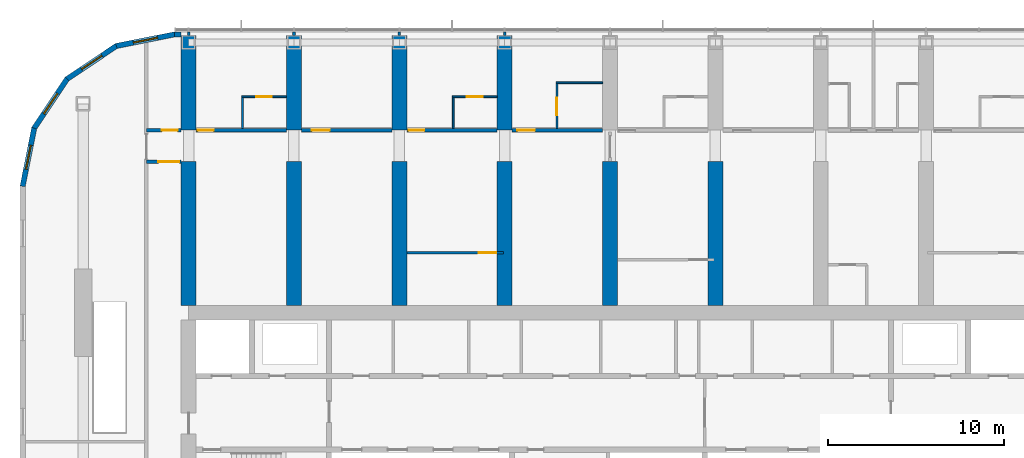
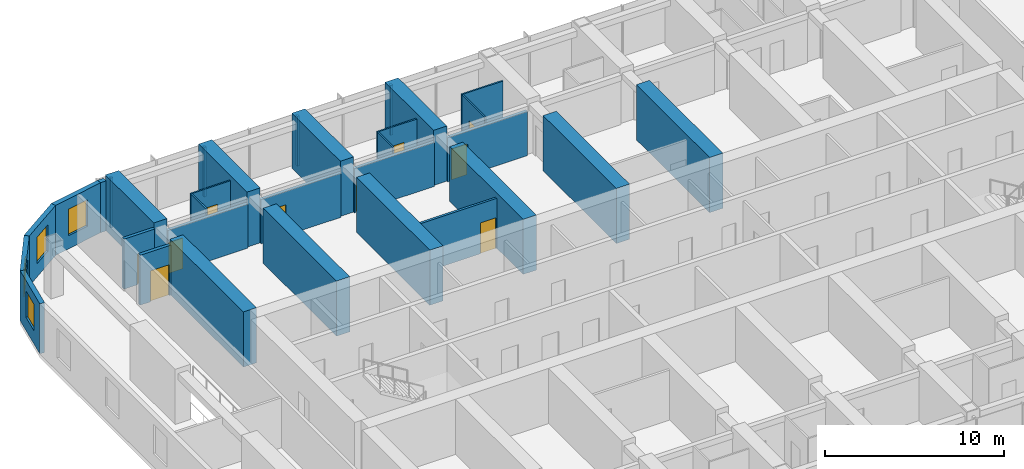
# One storey, part 15 of 22: 32 walls, 10 doors, 4 windows, 14 openings.
"""IFC4 building model written with IfcOpenShell, lengths in metres."""

from ifc_helpers import new_model, si_unit, direction, frame, frame_2d, origin, place, context, subcontext, project, spatial, polyline, rectangle, outline, extrude, material, layer, layer_set, type_object, element, fill, save


model = new_model("IFC4")

# Units and contexts
model_context = context("Model", 3, precision=1e-05, world=origin(), true_north=direction((0.0, 1.0)))
body_context = subcontext(model_context, "Body", "Model", "MODEL_VIEW")
ifc_project = project(units=[si_unit("LENGTHUNIT", "METRE"), si_unit("AREAUNIT", "SQUARE_METRE"), si_unit("VOLUMEUNIT", "CUBIC_METRE"), si_unit("PLANEANGLEUNIT", "RADIAN"), si_unit("MASSUNIT", "GRAM", prefix="KILO")], contexts=[model_context])

# Site, building, storey
site_placement = place(None, origin())
site = spatial("IfcSite", under=ifc_project, at=site_placement, CompositionType="ELEMENT")
building_placement = place(site_placement, origin())
building = spatial("IfcBuilding", under=site, at=building_placement, Name="Orbita Commons", CompositionType="ELEMENT")
storey_placement = place(building_placement, frame((0.0, 0.0, 197.35009765625)))
storey = spatial("IfcBuildingStorey", under=building, at=storey_placement, Name="L49", CompositionType="ELEMENT", Elevation=197.35009765625)

# Wall, opening, door
ifc_material_1 = material(Name="Concrete blockwork", Category="masonry")
ifc_layer_1 = layer(ifc_material_1, 0.199951171875)
ifc_layer_set_1 = layer_set([ifc_layer_1], Name="Concrete blockwork")
wall_type_1 = type_object("IfcWallType", Name="Corridor wall 200 blockwork", PredefinedType="SOLIDWALL", material=ifc_layer_set_1)
wall_1_placement = place(storey_placement, frame((15.60009765625, 48.60009765625, 0.0), z_axis=(0.0, 0.0, 1.0), x_axis=(1.0, 0.0, 0.0)))
wall_1 = element("IfcWall", 1, at=wall_1_placement, inside=storey, type_object=wall_type_1, Name="Corridor wall 200 blockwork L49", PredefinedType="SOLIDWALL", context=body_context, shape_type="SweptSolid", body=[
    extrude(rectangle(XDim=1.974853515625, YDim=0.199951171875, at=frame_2d((0.9873046875, 0.0))), origin(), (0.0, 0.0, 1.0), 3.39990234375),
])
opening_1_placement = place(wall_1_placement, frame((0.875, 0.0, 0.0)))
opening_1 = element("IfcOpeningElement", 2, at=opening_1_placement, cuts=wall_1, Name="Opening D05", PredefinedType="OPENING", context=body_context, shape_type="SweptSolid", body=[
    extrude(rectangle(XDim=0.89990234375, YDim=2.10009765625, at=frame_2d((0.449951171875, 1.050048828125))), frame((0.0, 0.10986328125, 0.0), z_axis=(0.0, -1.0, 0.0), x_axis=(1.0, 0.0, 0.0)), (0.0, 0.0, 1.0), 0.219970703125),
])
ifc_material_2 = material(Name="Steel-faced fire door leaf", Category="steel")
door_type_1 = type_object("IfcDoorType", Name="Service door 20 min 900x2100", OperationType="SINGLE_SWING_LEFT", PredefinedType="DOOR", material=ifc_material_2)
door_1_placement = place(opening_1_placement, origin())
door_1 = element("IfcDoor", 3, at=door_1_placement, inside=storey, type_object=door_type_1, Name="Linen store L49-KWN door", OperationType="SINGLE_SWING_LEFT", OverallHeight=2.10009765625, OverallWidth=0.89990234375, PredefinedType="DOOR", context=body_context, shape_type="SweptSolid", body=[
    extrude(rectangle(XDim=0.89990234375, YDim=2.10009765625, at=frame_2d((0.449951171875, 1.050048828125))), frame((0.0, 0.02490234375, 0.0), z_axis=(0.0, -1.0, 0.0), x_axis=(1.0, 0.0, 0.0)), (0.0, 0.0, 1.0), 0.050048828125),
])
fill(opening_1, door_1)

wall_2_placement = place(storey_placement, frame((18.425048828125, 48.60009765625, 0.0), z_axis=(0.0, 0.0, 1.0), x_axis=(1.0, 0.0, 0.0)))
wall_2 = element("IfcWall", 4, at=wall_2_placement, inside=storey, type_object=wall_type_1, Name="Corridor wall 200 blockwork L49", PredefinedType="SOLIDWALL", context=body_context, shape_type="SweptSolid", body=[
    extrude(outline(polyline([(0.0, 0.0), (5.14990234375, 0.0), (5.14990234375, 3.0), (0.0, 3.0), (0.0, 0.0)])), frame((0.0, 0.10009765625, 0.0), z_axis=(0.0, -1.0, 0.0), x_axis=(1.0, 0.0, 0.0)), (0.0, 0.0, 1.0), 0.199951171875),
])
opening_2_placement = place(wall_2_placement, frame((0.10009765625, 0.0, 0.0)))
opening_2 = element("IfcOpeningElement", 5, at=opening_2_placement, cuts=wall_2, Name="Opening D11", PredefinedType="OPENING", context=body_context, shape_type="SweptSolid", body=[
    extrude(rectangle(XDim=0.89990234375, YDim=2.10009765625, at=frame_2d((0.449951171875, 1.050048828125))), frame((0.0, 0.10986328125, 0.0), z_axis=(0.0, -1.0, 0.0), x_axis=(1.0, 0.0, 0.0)), (0.0, 0.0, 1.0), 0.219970703125),
])
ifc_material_3 = material(Name="Steel-faced fire door leaf", Category="steel")
door_type_2 = type_object("IfcDoorType", Name="Corridor door 20 min 900x2100", OperationType="SINGLE_SWING_LEFT", PredefinedType="DOOR", material=ifc_material_3)
door_2_placement = place(opening_2_placement, origin())
door_2 = element("IfcDoor", 6, at=door_2_placement, inside=storey, type_object=door_type_2, Name="Twin room L49-N00 door", OperationType="SINGLE_SWING_LEFT", OverallHeight=2.10009765625, OverallWidth=0.89990234375, PredefinedType="DOOR", context=body_context, shape_type="SweptSolid", body=[
    extrude(rectangle(XDim=0.89990234375, YDim=2.10009765625, at=frame_2d((0.449951171875, 1.050048828125))), frame((0.0, 0.02490234375, 0.0), z_axis=(0.0, -1.0, 0.0), x_axis=(1.0, 0.0, 0.0)), (0.0, 0.0, 1.0), 0.050048828125),
])
fill(opening_2, door_2)

wall_3_placement = place(storey_placement, frame((24.425048828125, 48.60009765625, 0.0), z_axis=(0.0, 0.0, 1.0), x_axis=(1.0, 0.0, 0.0)))
wall_3 = element("IfcWall", 7, at=wall_3_placement, inside=storey, type_object=wall_type_1, Name="Corridor wall 200 blockwork L49", PredefinedType="SOLIDWALL", context=body_context, shape_type="SweptSolid", body=[
    extrude(outline(polyline([(0.0, 0.0), (5.14990234375, 0.0), (5.14990234375, 3.0), (0.0, 3.0), (0.0, 0.0)])), frame((0.0, 0.10009765625, 0.0), z_axis=(0.0, -1.0, 0.0), x_axis=(1.0, 0.0, 0.0)), (0.0, 0.0, 1.0), 0.199951171875),
])
opening_3_placement = place(wall_3_placement, frame((0.60009765625, 0.0, 0.0)))
opening_3 = element("IfcOpeningElement", 8, at=opening_3_placement, cuts=wall_3, Name="Opening D06", PredefinedType="OPENING", context=body_context, shape_type="SweptSolid", body=[
    extrude(rectangle(XDim=1.0, YDim=2.10009765625, at=frame_2d((0.5, 1.050048828125))), frame((0.0, 0.10986328125, 0.0), z_axis=(0.0, -1.0, 0.0), x_axis=(1.0, 0.0, 0.0)), (0.0, 0.0, 1.0), 0.219970703125),
])
ifc_material_4 = material(Name="Steel-faced fire door leaf", Category="steel")
door_type_3 = type_object("IfcDoorType", Name="Corridor door 20 min 1000x2100", OperationType="SINGLE_SWING_LEFT", PredefinedType="DOOR", material=ifc_material_4)
door_3_placement = place(opening_3_placement, origin())
door_3 = element("IfcDoor", 9, at=door_3_placement, inside=storey, type_object=door_type_3, Name="Sea-view lounge L49-N02 door", OperationType="SINGLE_SWING_LEFT", OverallHeight=2.10009765625, OverallWidth=1.0, PredefinedType="DOOR", context=body_context, shape_type="SweptSolid", body=[
    extrude(rectangle(XDim=1.0, YDim=2.10009765625, at=frame_2d((0.5, 1.050048828125))), frame((0.0, 0.02490234375, 0.0), z_axis=(0.0, -1.0, 0.0), x_axis=(1.0, 0.0, 0.0)), (0.0, 0.0, 1.0), 0.050048828125),
])
fill(opening_3, door_3)

wall_4_placement = place(storey_placement, frame((30.425048828125, 48.60009765625, 0.0), z_axis=(0.0, 0.0, 1.0), x_axis=(1.0, 0.0, 0.0)))
wall_4 = element("IfcWall", 10, at=wall_4_placement, inside=storey, type_object=wall_type_1, Name="Corridor wall 200 blockwork L49", PredefinedType="SOLIDWALL", context=body_context, shape_type="SweptSolid", body=[
    extrude(outline(polyline([(0.0, 0.0), (5.14990234375, 0.0), (5.14990234375, 3.0), (0.0, 3.0), (0.0, 0.0)])), frame((0.0, 0.10009765625, 0.0), z_axis=(0.0, -1.0, 0.0), x_axis=(1.0, 0.0, 0.0)), (0.0, 0.0, 1.0), 0.199951171875),
])
opening_4_placement = place(wall_4_placement, frame((0.10009765625, 0.0, 0.0)))
opening_4 = element("IfcOpeningElement", 11, at=opening_4_placement, cuts=wall_4, Name="Opening D11", PredefinedType="OPENING", context=body_context, shape_type="SweptSolid", body=[
    extrude(rectangle(XDim=0.89990234375, YDim=2.10009765625, at=frame_2d((0.449951171875, 1.050048828125))), frame((0.0, 0.10986328125, 0.0), z_axis=(0.0, -1.0, 0.0), x_axis=(1.0, 0.0, 0.0)), (0.0, 0.0, 1.0), 0.219970703125),
])
door_4_placement = place(opening_4_placement, origin())
door_4 = element("IfcDoor", 12, at=door_4_placement, inside=storey, type_object=door_type_2, Name="Twin room L49-N04 door", OperationType="SINGLE_SWING_LEFT", OverallHeight=2.10009765625, OverallWidth=0.89990234375, PredefinedType="DOOR", context=body_context, shape_type="SweptSolid", body=[
    extrude(rectangle(XDim=0.89990234375, YDim=2.10009765625, at=frame_2d((0.449951171875, 1.050048828125))), frame((0.0, 0.02490234375, 0.0), z_axis=(0.0, -1.0, 0.0), x_axis=(1.0, 0.0, 0.0)), (0.0, 0.0, 1.0), 0.050048828125),
])
fill(opening_4, door_4)

wall_5_placement = place(storey_placement, frame((36.425048828125, 48.60009765625, 0.0), z_axis=(0.0, 0.0, 1.0), x_axis=(1.0, 0.0, 0.0)))
wall_5 = element("IfcWall", 13, at=wall_5_placement, inside=storey, type_object=wall_type_1, Name="Corridor wall 200 blockwork L49", PredefinedType="SOLIDWALL", context=body_context, shape_type="SweptSolid", body=[
    extrude(outline(polyline([(0.0, 0.0), (5.14990234375, 0.0), (5.14990234375, 3.0), (0.0, 3.0), (0.0, 0.0)])), frame((0.0, 0.10009765625, 0.0), z_axis=(0.0, -1.0, 0.0), x_axis=(1.0, 0.0, 0.0)), (0.0, 0.0, 1.0), 0.199951171875),
])
opening_5_placement = place(wall_5_placement, frame((0.300048828125, 0.0, 0.0)))
opening_5 = element("IfcOpeningElement", 14, at=opening_5_placement, cuts=wall_5, Name="Opening D06", PredefinedType="OPENING", context=body_context, shape_type="SweptSolid", body=[
    extrude(rectangle(XDim=1.0, YDim=2.10009765625, at=frame_2d((0.5, 1.050048828125))), frame((0.0, 0.10986328125, 0.0), z_axis=(0.0, -1.0, 0.0), x_axis=(1.0, 0.0, 0.0)), (0.0, 0.0, 1.0), 0.219970703125),
])
door_5_placement = place(opening_5_placement, origin())
door_5 = element("IfcDoor", 15, at=door_5_placement, inside=storey, type_object=door_type_3, Name="Accessible bedroom L49-N06 door", OperationType="SINGLE_SWING_LEFT", OverallHeight=2.10009765625, OverallWidth=1.0, PredefinedType="DOOR", context=body_context, shape_type="SweptSolid", body=[
    extrude(rectangle(XDim=1.0, YDim=2.10009765625, at=frame_2d((0.5, 1.050048828125))), frame((0.0, 0.02490234375, 0.0), z_axis=(0.0, -1.0, 0.0), x_axis=(1.0, 0.0, 0.0)), (0.0, 0.0, 1.0), 0.050048828125),
])
fill(opening_5, door_5)

ifc_material_5 = material(Name="Hollow concrete block 200", Category="concrete")
ifc_layer_2 = layer(ifc_material_5, 0.199951171875)
ifc_layer_set_2 = layer_set([ifc_layer_2], Name="Hollow concrete block 200")
wall_type_2 = type_object("IfcWallType", Name="Corridor wall 200 hollow concrete block", PredefinedType="SOLIDWALL", material=ifc_layer_set_2)
wall_6_placement = place(storey_placement, frame((15.60009765625, 46.800048828125, 0.0), z_axis=(0.0, 0.0, 1.0), x_axis=(1.0, 0.0, 0.0)))
wall_6 = element("IfcWall", 16, at=wall_6_placement, inside=storey, type_object=wall_type_2, Name="Corridor wall 200 hollow concrete block L49", PredefinedType="SOLIDWALL", context=body_context, shape_type="SweptSolid", body=[
    extrude(rectangle(XDim=1.974853515625, YDim=0.199951171875, at=frame_2d((0.9873046875, 0.0))), origin(), (0.0, 0.0, 1.0), 3.39990234375),
])
opening_6_placement = place(wall_6_placement, frame((0.675048828125, 0.0, 0.0)))
opening_6 = element("IfcOpeningElement", 17, at=opening_6_placement, cuts=wall_6, Name="Opening D12", PredefinedType="OPENING", context=body_context, shape_type="SweptSolid", body=[
    extrude(rectangle(XDim=1.199951171875, YDim=2.10009765625, at=frame_2d((0.60009765625, 1.050048828125))), frame((0.0, 0.10986328125, 0.0), z_axis=(0.0, -1.0, 0.0), x_axis=(1.0, 0.0, 0.0)), (0.0, 0.0, 1.0), 0.219970703125),
])
ifc_material_6 = material(Name="Steel-faced fire door leaf", Category="steel")
door_type_4 = type_object("IfcDoorType", Name="Double corridor door 20 min 1200x2100", OperationType="DOUBLE_DOOR_SINGLE_SWING", PredefinedType="DOOR", material=ifc_material_6)
door_6_placement = place(opening_6_placement, origin())
door_6 = element("IfcDoor", 18, at=door_6_placement, inside=storey, type_object=door_type_4, Name="Cross corridor doors", OperationType="DOUBLE_DOOR_SINGLE_SWING", OverallHeight=2.10009765625, OverallWidth=1.199951171875, PredefinedType="DOOR", context=body_context, shape_type="SweptSolid", body=[
    extrude(rectangle(XDim=1.199951171875, YDim=2.10009765625, at=frame_2d((0.60009765625, 1.050048828125))), frame((0.0, 0.02490234375, 0.0), z_axis=(0.0, -1.0, 0.0), x_axis=(1.0, 0.0, 0.0)), (0.0, 0.0, 1.0), 0.050048828125),
])
fill(opening_6, door_6)

# Walls
ifc_material_7 = material(Name="Concrete C50/60", Category="concrete")
ifc_layer_3 = layer(ifc_material_7, 0.85009765625)
ifc_layer_set_3 = layer_set([ifc_layer_3], Name="Concrete C50/60")
wall_type_3 = type_object("IfcWallType", Name="Cross wall 850 C50/60", PredefinedType="SHEAR", material=ifc_layer_set_3)
wall_7_placement = place(storey_placement, frame((18.0, 48.60009765625, 0.0), z_axis=(0.0, 0.0, 1.0), x_axis=(0.0, 1.0, 0.0)))
element("IfcWall", 19, at=wall_7_placement, inside=storey, type_object=wall_type_3, Name="Cross wall 4 north outer L49", PredefinedType="SHEAR", context=body_context, shape_type="SweptSolid", body=[
    extrude(rectangle(XDim=5.39990234375, YDim=0.85009765625, at=frame_2d((2.699951171875, 0.0))), origin(), (0.0, 0.0, 1.0), 3.75),
])
wall_8_placement = place(storey_placement, frame((18.0, 38.625, 0.0), z_axis=(0.0, 0.0, 1.0), x_axis=(0.0, 1.0, 0.0)))
element("IfcWall", 20, at=wall_8_placement, inside=storey, type_object=wall_type_3, Name="Cross wall 4 north inner L49", PredefinedType="SHEAR", context=body_context, shape_type="SweptSolid", body=[
    extrude(rectangle(XDim=8.175048828125, YDim=0.85009765625, at=frame_2d((4.08740234375, 0.0))), origin(), (0.0, 0.0, 1.0), 3.75),
])
wall_9_placement = place(storey_placement, frame((24.0, 48.60009765625, 0.0), z_axis=(0.0, 0.0, 1.0), x_axis=(0.0, 1.0, 0.0)))
element("IfcWall", 21, at=wall_9_placement, inside=storey, type_object=wall_type_3, Name="Cross wall 5 north outer L49", PredefinedType="SHEAR", context=body_context, shape_type="SweptSolid", body=[
    extrude(rectangle(XDim=5.39990234375, YDim=0.85009765625, at=frame_2d((2.699951171875, 0.0))), origin(), (0.0, 0.0, 1.0), 3.75),
])
wall_10_placement = place(storey_placement, frame((24.0, 38.625, 0.0), z_axis=(0.0, 0.0, 1.0), x_axis=(0.0, 1.0, 0.0)))
element("IfcWall", 22, at=wall_10_placement, inside=storey, type_object=wall_type_3, Name="Cross wall 5 north inner L49", PredefinedType="SHEAR", context=body_context, shape_type="SweptSolid", body=[
    extrude(rectangle(XDim=8.175048828125, YDim=0.85009765625, at=frame_2d((4.08740234375, 0.0))), origin(), (0.0, 0.0, 1.0), 3.75),
])
wall_11_placement = place(storey_placement, frame((30.0, 48.60009765625, 0.0), z_axis=(0.0, 0.0, 1.0), x_axis=(0.0, 1.0, 0.0)))
element("IfcWall", 23, at=wall_11_placement, inside=storey, type_object=wall_type_3, Name="Cross wall 6 north outer L49", PredefinedType="SHEAR", context=body_context, shape_type="SweptSolid", body=[
    extrude(rectangle(XDim=5.39990234375, YDim=0.85009765625, at=frame_2d((2.699951171875, 0.0))), origin(), (0.0, 0.0, 1.0), 3.75),
])
wall_12_placement = place(storey_placement, frame((30.0, 38.625, 0.0), z_axis=(0.0, 0.0, 1.0), x_axis=(0.0, 1.0, 0.0)))
element("IfcWall", 24, at=wall_12_placement, inside=storey, type_object=wall_type_3, Name="Cross wall 6 north inner L49", PredefinedType="SHEAR", context=body_context, shape_type="SweptSolid", body=[
    extrude(rectangle(XDim=8.175048828125, YDim=0.85009765625, at=frame_2d((4.08740234375, 0.0))), origin(), (0.0, 0.0, 1.0), 3.75),
])
wall_13_placement = place(storey_placement, frame((36.0, 48.60009765625, 0.0), z_axis=(0.0, 0.0, 1.0), x_axis=(0.0, 1.0, 0.0)))
element("IfcWall", 25, at=wall_13_placement, inside=storey, type_object=wall_type_3, Name="Cross wall 7 north outer L49", PredefinedType="SHEAR", context=body_context, shape_type="SweptSolid", body=[
    extrude(rectangle(XDim=5.39990234375, YDim=0.85009765625, at=frame_2d((2.699951171875, 0.0))), origin(), (0.0, 0.0, 1.0), 3.75),
])
for number, where, z_axis, x_axis, name in (
    (26, (36.0, 38.625, 0.0), (0.0, 0.0, 1.0), (0.0, 1.0, 0.0), "Cross wall 7 north inner L49"),
    (27, (42.0, 38.625, 0.0), (0.0, 0.0, 1.0), (0.0, 1.0, 0.0), "Cross wall 8 north inner L49"),
    (28, (48.0, 38.625, 0.0), (0.0, 0.0, 1.0), (0.0, 1.0, 0.0), "Cross wall 9 north inner L49"),
):
    element("IfcWall", number, at=place(storey_placement, frame(where, z_axis=z_axis, x_axis=x_axis)), inside=storey, type_object=wall_type_3, Name=name, PredefinedType="SHEAR", context=body_context, shape_type="SweptSolid", body=[
        extrude(rectangle(XDim=8.175048828125, YDim=0.85009765625, at=frame_2d((4.08740234375, 0.0))), origin(), (0.0, 0.0, 1.0), 3.75),
    ])

# Wall, opening, door
ifc_material_8 = material(Name="Moisture-resistant plasterboard on steel studs", Category="steel")
ifc_layer_4 = layer(ifc_material_8, 0.10009765625)
ifc_layer_set_4 = layer_set([ifc_layer_4], Name="Moisture-resistant plasterboard on steel studs")
wall_type_4 = type_object("IfcWallType", Name="En-suite partition 100", PredefinedType="PARTITIONING", material=ifc_layer_set_4)
wall_14_placement = place(storey_placement, frame((21.02490234375, 50.5, 0.0), z_axis=(0.0, 0.0, 1.0), x_axis=(1.0, 0.0, 0.0)))
wall_14 = element("IfcWall", 29, at=wall_14_placement, inside=storey, type_object=wall_type_4, Name="En-suite partition 100 L49", PredefinedType="PARTITIONING", context=body_context, shape_type="SweptSolid", body=[
    extrude(rectangle(XDim=2.550048828125, YDim=0.10009765625, at=frame_2d((1.27490234375, 0.0))), origin(), (0.0, 0.0, 1.0), 3.39990234375),
])
opening_7_placement = place(wall_14_placement, frame((0.824951171875, 0.0, 0.0)))
opening_7 = element("IfcOpeningElement", 30, at=opening_7_placement, cuts=wall_14, Name="Opening D09", PredefinedType="OPENING", context=body_context, shape_type="SweptSolid", body=[
    extrude(rectangle(XDim=0.89990234375, YDim=2.10009765625, at=frame_2d((0.449951171875, 1.050048828125))), frame((0.0, 0.06005859375, 0.0), z_axis=(0.0, -1.0, 0.0), x_axis=(1.0, 0.0, 0.0)), (0.0, 0.0, 1.0), 0.1201171875),
])
ifc_material_9 = material(Name="Laminated timber door leaf", Category="wood")
door_type_5 = type_object("IfcDoorType", Name="En-suite door 900x2100", OperationType="SINGLE_SWING_RIGHT", PredefinedType="DOOR", material=ifc_material_9)
door_7_placement = place(opening_7_placement, origin())
door_7 = element("IfcDoor", 31, at=door_7_placement, inside=storey, type_object=door_type_5, Name="En-suite L49-N00 door", OperationType="SINGLE_SWING_RIGHT", OverallHeight=2.10009765625, OverallWidth=0.89990234375, PredefinedType="DOOR", context=body_context, shape_type="SweptSolid", body=[
    extrude(rectangle(XDim=0.89990234375, YDim=2.10009765625, at=frame_2d((0.449951171875, 1.050048828125))), frame((0.0, 0.02490234375, 0.0), z_axis=(0.0, -1.0, 0.0), x_axis=(1.0, 0.0, 0.0)), (0.0, 0.0, 1.0), 0.050048828125),
])
fill(opening_7, door_7)

# Wall
wall_15_placement = place(storey_placement, frame((21.074951171875, 50.449951171875, 0.0), z_axis=(0.0, 0.0, 1.0), x_axis=(0.0, -1.0, 0.0)))
element("IfcWall", 32, at=wall_15_placement, inside=storey, type_object=wall_type_4, Name="En-suite partition 100 L49", PredefinedType="PARTITIONING", context=body_context, shape_type="SweptSolid", body=[
    extrude(outline(polyline([(0.0, 0.0), (1.75, 0.0), (1.75, 3.0), (1.701904296875, 3.0), (1.699951171875, 3.39990234375), (0.0, 3.39990234375), (0.0, 0.0)])), frame((0.0, 0.050048828125, 0.0), z_axis=(0.0, -1.0, 0.0), x_axis=(1.0, 0.0, 0.0)), (0.0, 0.0, 1.0), 0.10009765625),
])

# Wall, opening, door
wall_16_placement = place(storey_placement, frame((33.02490234375, 50.5, 0.0), z_axis=(0.0, 0.0, 1.0), x_axis=(1.0, 0.0, 0.0)))
wall_16 = element("IfcWall", 33, at=wall_16_placement, inside=storey, type_object=wall_type_4, Name="En-suite partition 100 L49", PredefinedType="PARTITIONING", context=body_context, shape_type="SweptSolid", body=[
    extrude(rectangle(XDim=2.550048828125, YDim=0.10009765625, at=frame_2d((1.27490234375, 0.0))), origin(), (0.0, 0.0, 1.0), 3.39990234375),
])
opening_8_placement = place(wall_16_placement, frame((0.824951171875, 0.0, 0.0)))
opening_8 = element("IfcOpeningElement", 34, at=opening_8_placement, cuts=wall_16, Name="Opening D09", PredefinedType="OPENING", context=body_context, shape_type="SweptSolid", body=[
    extrude(rectangle(XDim=0.89990234375, YDim=2.10009765625, at=frame_2d((0.449951171875, 1.050048828125))), frame((0.0, 0.06005859375, 0.0), z_axis=(0.0, -1.0, 0.0), x_axis=(1.0, 0.0, 0.0)), (0.0, 0.0, 1.0), 0.1201171875),
])
door_8_placement = place(opening_8_placement, origin())
door_8 = element("IfcDoor", 35, at=door_8_placement, inside=storey, type_object=door_type_5, Name="En-suite L49-N04 door", OperationType="SINGLE_SWING_RIGHT", OverallHeight=2.10009765625, OverallWidth=0.89990234375, PredefinedType="DOOR", context=body_context, shape_type="SweptSolid", body=[
    extrude(rectangle(XDim=0.89990234375, YDim=2.10009765625, at=frame_2d((0.449951171875, 1.050048828125))), frame((0.0, 0.02490234375, 0.0), z_axis=(0.0, -1.0, 0.0), x_axis=(1.0, 0.0, 0.0)), (0.0, 0.0, 1.0), 0.050048828125),
])
fill(opening_8, door_8)

# Walls
wall_17_placement = place(storey_placement, frame((33.074951171875, 50.449951171875, 0.0), z_axis=(0.0, 0.0, 1.0), x_axis=(0.0, -1.0, 0.0)))
element("IfcWall", 36, at=wall_17_placement, inside=storey, type_object=wall_type_4, Name="En-suite partition 100 L49", PredefinedType="PARTITIONING", context=body_context, shape_type="SweptSolid", body=[
    extrude(outline(polyline([(0.0, 0.0), (1.75, 0.0), (1.75, 3.0), (1.701904296875, 3.0), (1.699951171875, 3.39990234375), (0.0, 3.39990234375), (0.0, 0.0)])), frame((0.0, 0.050048828125, 0.0), z_axis=(0.0, -1.0, 0.0), x_axis=(1.0, 0.0, 0.0)), (0.0, 0.0, 1.0), 0.10009765625),
])
wall_18_placement = place(storey_placement, frame((38.925048828125, 51.300048828125, 0.0), z_axis=(0.0, 0.0, 1.0), x_axis=(1.0, 0.0, 0.0)))
element("IfcWall", 37, at=wall_18_placement, inside=storey, type_object=wall_type_4, Name="En-suite partition 100 L49", PredefinedType="PARTITIONING", context=body_context, shape_type="SweptSolid", body=[
    extrude(rectangle(XDim=2.64990234375, YDim=0.10009765625, at=frame_2d((1.324951171875, 0.0))), origin(), (0.0, 0.0, 1.0), 3.39990234375),
])

# Wall, opening, door
wall_19_placement = place(storey_placement, frame((38.97509765625, 51.25, 0.0), z_axis=(0.0, 0.0, 1.0), x_axis=(0.0, -1.0, 0.0)))
wall_19 = element("IfcWall", 38, at=wall_19_placement, inside=storey, type_object=wall_type_4, Name="En-suite partition 100 L49", PredefinedType="PARTITIONING", context=body_context, shape_type="SweptSolid", body=[
    extrude(outline(polyline([(0.0, 0.0), (2.550048828125, 0.0), (2.550048828125, 3.0), (2.501953125, 3.0), (2.5, 3.39990234375), (0.0, 3.39990234375), (0.0, 0.0)])), frame((0.0, 0.050048828125, 0.0), z_axis=(0.0, -1.0, 0.0), x_axis=(1.0, 0.0, 0.0)), (0.0, 0.0, 1.0), 0.10009765625),
])
opening_9_placement = place(wall_19_placement, frame((0.800048828125, 0.0, 0.0)))
opening_9 = element("IfcOpeningElement", 39, at=opening_9_placement, cuts=wall_19, Name="Opening D13", PredefinedType="OPENING", context=body_context, shape_type="SweptSolid", body=[
    extrude(rectangle(XDim=1.0, YDim=2.10009765625, at=frame_2d((0.5, 1.050048828125))), frame((0.0, 0.06005859375, 0.0), z_axis=(0.0, -1.0, 0.0), x_axis=(1.0, 0.0, 0.0)), (0.0, 0.0, 1.0), 0.1201171875),
])
ifc_material_10 = material(Name="Laminated timber door leaf", Category="wood")
door_type_6 = type_object("IfcDoorType", Name="En-suite door 1000x2100", OperationType="SINGLE_SWING_RIGHT", PredefinedType="DOOR", material=ifc_material_10)
door_9_placement = place(opening_9_placement, origin())
door_9 = element("IfcDoor", 40, at=door_9_placement, inside=storey, type_object=door_type_6, Name="Accessible shower room L49-N06 door", OperationType="SINGLE_SWING_RIGHT", OverallHeight=2.10009765625, OverallWidth=1.0, PredefinedType="DOOR", context=body_context, shape_type="SweptSolid", body=[
    extrude(rectangle(XDim=1.0, YDim=2.10009765625, at=frame_2d((0.5, 1.050048828125))), frame((0.0, 0.02490234375, 0.0), z_axis=(0.0, -1.0, 0.0), x_axis=(1.0, 0.0, 0.0)), (0.0, 0.0, 1.0), 0.050048828125),
])
fill(opening_9, door_9)

ifc_material_11 = material(Name="Gypsum plasterboard on steel studs", Category="steel")
ifc_layer_5 = layer(ifc_material_11, 0.14990234375)
ifc_layer_set_5 = layer_set([ifc_layer_5], Name="Gypsum plasterboard on steel studs")
wall_type_5 = type_object("IfcWallType", Name="Partition 150 plasterboard", PredefinedType="PARTITIONING", material=ifc_layer_set_5)
wall_20_placement = place(storey_placement, frame((35.925048828125, 41.625, 0.0), z_axis=(0.0, 0.0, 1.0), x_axis=(-1.0, 0.0, 0.0)))
wall_20 = element("IfcWall", 41, at=wall_20_placement, inside=storey, type_object=wall_type_5, Name="Partition 150 plasterboard L49", PredefinedType="PARTITIONING", context=body_context, shape_type="SweptSolid", body=[
    extrude(rectangle(XDim=5.5, YDim=0.14990234375, at=frame_2d((2.75, 0.0))), origin(), (0.0, 0.0, 1.0), 3.39990234375),
])
opening_10_placement = place(wall_20_placement, frame((0.39990234375, 0.0, 0.0)))
opening_10 = element("IfcOpeningElement", 42, at=opening_10_placement, cuts=wall_20, Name="Opening D17", PredefinedType="OPENING", context=body_context, shape_type="SweptSolid", body=[
    extrude(rectangle(XDim=1.0, YDim=2.10009765625, at=frame_2d((0.5, 1.050048828125))), frame((0.0, 0.0849609375, 0.0), z_axis=(0.0, -1.0, 0.0), x_axis=(1.0, 0.0, 0.0)), (0.0, 0.0, 1.0), 0.169921875),
])
ifc_material_12 = material(Name="Steel-faced fire door leaf", Category="steel")
door_type_7 = type_object("IfcDoorType", Name="Shaft access door 90 min 1000x2100", OperationType="SINGLE_SWING_LEFT", PredefinedType="DOOR", material=ifc_material_12)
door_10_placement = place(opening_10_placement, origin())
door_10 = element("IfcDoor", 43, at=door_10_placement, inside=storey, type_object=door_type_7, Name="Ventilation plant room north L49-BDN30 door", OperationType="SINGLE_SWING_LEFT", OverallHeight=2.10009765625, OverallWidth=1.0, PredefinedType="DOOR", context=body_context, shape_type="SweptSolid", body=[
    extrude(rectangle(XDim=1.0, YDim=2.10009765625, at=frame_2d((0.5, 1.050048828125))), frame((0.0, 0.02490234375, 0.0), z_axis=(0.0, -1.0, 0.0), x_axis=(1.0, 0.0, 0.0)), (0.0, 0.0, 1.0), 0.050048828125),
])
fill(opening_10, door_10)

# Walls
for number, where, z_axis, x_axis, name in (
    (44, (18.0, 54.0, 0.0), (0.0, 0.0, 1.0), (0.0, 1.0, 0.0), "Partition 150 plasterboard L49"),
    (45, (24.0, 54.0, 0.0), (0.0, 0.0, 1.0), (0.0, 1.0, 0.0), "Partition 150 plasterboard L49"),
    (46, (30.0, 54.0, 0.0), (0.0, 0.0, 1.0), (0.0, 1.0, 0.0), "Partition 150 plasterboard L49"),
    (47, (36.0, 54.0, 0.0), (0.0, 0.0, 1.0), (0.0, 1.0, 0.0), "Partition 150 plasterboard L49"),
):
    element("IfcWall", number, at=place(storey_placement, frame(where, z_axis=z_axis, x_axis=x_axis)), inside=storey, type_object=wall_type_5, Name=name, PredefinedType="PARTITIONING", context=body_context, shape_type="SweptSolid", body=[
        extrude(rectangle(XDim=0.18994140625, YDim=0.14990234375, at=frame_2d((0.094970703125, 0.0))), origin(), (0.0, 0.0, 1.0), 3.39990234375),
    ])

# Wall, opening, window
ifc_material_13 = material(Name="Precast concrete C40/50, white board-marked finish", Category="concrete")
ifc_layer_6 = layer(ifc_material_13, 0.300048828125)
ifc_layer_set_6 = layer_set([ifc_layer_6], Name="Precast concrete C40/50, white board-marked finish")
wall_type_6 = type_object("IfcWallType", Name="Precast concrete end shield 300", PredefinedType="SOLIDWALL", material=ifc_layer_set_6)
wall_21_placement = place(storey_placement, frame((17.199951171875, 54.050048828125, 0.0), z_axis=(0.0, 0.0, 1.0), x_axis=(-0.98078325777, -0.195100490205, 0.0)))
wall_21 = element("IfcWall", 48, at=wall_21_placement, inside=storey, type_object=wall_type_6, Name="End shield NW chord 1 L49", PredefinedType="SOLIDWALL", context=body_context, shape_type="SweptSolid", body=[
    extrude(outline(polyline([(-0.02978515625, -0.14990234375), (3.40478515625, -0.14990234375), (3.34521484375, 0.14990234375), (0.02978515625, 0.14990234375), (-0.02978515625, -0.14990234375)])), origin(), (0.0, 0.0, 1.0), 3.39990234375),
])
opening_11_placement = place(wall_21_placement, frame((0.987548828125, 0.0, 0.89990234375)))
opening_11 = element("IfcOpeningElement", 49, at=opening_11_placement, cuts=wall_21, Name="Opening W02", PredefinedType="OPENING", context=body_context, shape_type="SweptSolid", body=[
    extrude(rectangle(XDim=1.39990234375, YDim=1.800048828125, at=frame_2d((0.699951171875, 0.89990234375))), frame((0.0, 0.159912109375, 0.0), z_axis=(0.0, -1.0, 0.0), x_axis=(1.0, 0.0, 0.0)), (0.0, 0.0, 1.0), 0.320068359375),
])
ifc_material_14 = material(Name="Aluminium frame, clear double glazing", Category="aluminium")
window_type = type_object("IfcWindowType", Name="Deep-set window 1400x1800", PartitioningType="SINGLE_PANEL", PredefinedType="WINDOW", material=ifc_material_14)
window_1_placement = place(opening_11_placement, origin())
window_1 = element("IfcWindow", 50, at=window_1_placement, inside=storey, type_object=window_type, Name="Window L49-NW0", OverallHeight=1.800048828125, OverallWidth=1.39990234375, PartitioningType="SINGLE_PANEL", PredefinedType="WINDOW", context=body_context, shape_type="SweptSolid", body=[
    extrude(rectangle(XDim=1.39990234375, YDim=1.800048828125, at=frame_2d((0.699951171875, 0.89990234375))), frame((0.0, 0.030029296875, 0.0), z_axis=(0.0, -1.0, 0.0), x_axis=(1.0, 0.0, 0.0)), (0.0, 0.0, 1.0), 0.06005859375),
])
fill(opening_11, window_1)

wall_22_placement = place(storey_placement, frame((13.889892578125, 53.3916015625, 0.0), z_axis=(0.0, 0.0, 1.0), x_axis=(-0.831493450887, -0.555534554399, 0.0)))
wall_22 = element("IfcWall", 51, at=wall_22_placement, inside=storey, type_object=wall_type_6, Name="End shield NW chord 2 L49", PredefinedType="SOLIDWALL", context=body_context, shape_type="SweptSolid", body=[
    extrude(outline(polyline([(-0.02978515625, -0.14990234375), (3.405029296875, -0.14990234375), (3.345458984375, 0.14990234375), (0.02978515625, 0.14990234375), (-0.02978515625, -0.14990234375)])), origin(), (0.0, 0.0, 1.0), 3.39990234375),
])
opening_12_placement = place(wall_22_placement, frame((0.987548828125, 0.0, 0.89990234375)))
opening_12 = element("IfcOpeningElement", 52, at=opening_12_placement, cuts=wall_22, Name="Opening W02", PredefinedType="OPENING", context=body_context, shape_type="SweptSolid", body=[
    extrude(rectangle(XDim=1.39990234375, YDim=1.800048828125, at=frame_2d((0.699951171875, 0.89990234375))), frame((0.0, 0.159912109375, 0.0), z_axis=(0.0, -1.0, 0.0), x_axis=(1.0, 0.0, 0.0)), (0.0, 0.0, 1.0), 0.320068359375),
])
window_2_placement = place(opening_12_placement, origin())
window_2 = element("IfcWindow", 53, at=window_2_placement, inside=storey, type_object=window_type, Name="Window L49-NW1", OverallHeight=1.800048828125, OverallWidth=1.39990234375, PartitioningType="SINGLE_PANEL", PredefinedType="WINDOW", context=body_context, shape_type="SweptSolid", body=[
    extrude(rectangle(XDim=1.39990234375, YDim=1.800048828125, at=frame_2d((0.699951171875, 0.89990234375))), frame((0.0, 0.030029296875, 0.0), z_axis=(0.0, -1.0, 0.0), x_axis=(1.0, 0.0, 0.0)), (0.0, 0.0, 1.0), 0.06005859375),
])
fill(opening_12, window_2)

wall_23_placement = place(storey_placement, frame((11.08349609375, 51.5166015625, 0.0), z_axis=(0.0, 0.0, 1.0), x_axis=(-0.555534554399, -0.831493450887, 0.0)))
wall_23 = element("IfcWall", 54, at=wall_23_placement, inside=storey, type_object=wall_type_6, Name="End shield NW chord 3 L49", PredefinedType="SOLIDWALL", context=body_context, shape_type="SweptSolid", body=[
    extrude(outline(polyline([(-0.02978515625, -0.14990234375), (3.405029296875, -0.14990234375), (3.345458984375, 0.14990234375), (0.02978515625, 0.14990234375), (-0.02978515625, -0.14990234375)])), origin(), (0.0, 0.0, 1.0), 3.39990234375),
])
opening_13_placement = place(wall_23_placement, frame((0.987548828125, 0.0, 0.89990234375)))
opening_13 = element("IfcOpeningElement", 55, at=opening_13_placement, cuts=wall_23, Name="Opening W02", PredefinedType="OPENING", context=body_context, shape_type="SweptSolid", body=[
    extrude(rectangle(XDim=1.39990234375, YDim=1.800048828125, at=frame_2d((0.699951171875, 0.89990234375))), frame((0.0, 0.159912109375, 0.0), z_axis=(0.0, -1.0, 0.0), x_axis=(1.0, 0.0, 0.0)), (0.0, 0.0, 1.0), 0.320068359375),
])
window_3_placement = place(opening_13_placement, origin())
window_3 = element("IfcWindow", 56, at=window_3_placement, inside=storey, type_object=window_type, Name="Window L49-NW2", OverallHeight=1.800048828125, OverallWidth=1.39990234375, PartitioningType="SINGLE_PANEL", PredefinedType="WINDOW", context=body_context, shape_type="SweptSolid", body=[
    extrude(rectangle(XDim=1.39990234375, YDim=1.800048828125, at=frame_2d((0.699951171875, 0.89990234375))), frame((0.0, 0.030029296875, 0.0), z_axis=(0.0, -1.0, 0.0), x_axis=(1.0, 0.0, 0.0)), (0.0, 0.0, 1.0), 0.06005859375),
])
fill(opening_13, window_3)

wall_24_placement = place(storey_placement, frame((9.20849609375, 48.710205078125, 0.0), z_axis=(0.0, 0.0, 1.0), x_axis=(-0.19508664885, -0.980786011034, 0.0)))
wall_24 = element("IfcWall", 57, at=wall_24_placement, inside=storey, type_object=wall_type_6, Name="End shield NW chord 4 L49", PredefinedType="SOLIDWALL", context=body_context, shape_type="SweptSolid", body=[
    extrude(outline(polyline([(-0.02978515625, -0.14990234375), (3.39013671875, -0.14990234375), (3.3603515625, 0.14990234375), (0.02978515625, 0.14990234375), (-0.02978515625, -0.14990234375)])), origin(), (0.0, 0.0, 1.0), 3.39990234375),
])
opening_14_placement = place(wall_24_placement, frame((0.987548828125, 0.0, 0.89990234375)))
opening_14 = element("IfcOpeningElement", 58, at=opening_14_placement, cuts=wall_24, Name="Opening W02", PredefinedType="OPENING", context=body_context, shape_type="SweptSolid", body=[
    extrude(rectangle(XDim=1.39990234375, YDim=1.800048828125, at=frame_2d((0.699951171875, 0.89990234375))), frame((0.0, 0.159912109375, 0.0), z_axis=(0.0, -1.0, 0.0), x_axis=(1.0, 0.0, 0.0)), (0.0, 0.0, 1.0), 0.320068359375),
])
window_4_placement = place(opening_14_placement, origin())
window_4 = element("IfcWindow", 59, at=window_4_placement, inside=storey, type_object=window_type, Name="Window L49-NW3", OverallHeight=1.800048828125, OverallWidth=1.39990234375, PartitioningType="SINGLE_PANEL", PredefinedType="WINDOW", context=body_context, shape_type="SweptSolid", body=[
    extrude(rectangle(XDim=1.39990234375, YDim=1.800048828125, at=frame_2d((0.699951171875, 0.89990234375))), frame((0.0, 0.030029296875, 0.0), z_axis=(0.0, -1.0, 0.0), x_axis=(1.0, 0.0, 0.0)), (0.0, 0.0, 1.0), 0.06005859375),
])
fill(opening_14, window_4)

# Wall
wall_25_placement = place(storey_placement, frame((17.199951171875, 54.050048828125, 0.0), z_axis=(0.0, 0.0, 1.0), x_axis=(1.0, 0.0, 0.0)))
element("IfcWall", 60, at=wall_25_placement, inside=storey, type_object=wall_type_6, Name="End shield NW closer L49", PredefinedType="SOLIDWALL", context=body_context, shape_type="SweptSolid", body=[
    extrude(rectangle(XDim=0.375, YDim=0.300048828125, at=frame_2d((0.1875, 0.0))), origin(), (0.0, 0.0, 1.0), 3.39990234375),
])

save(model, "model.ifc")
